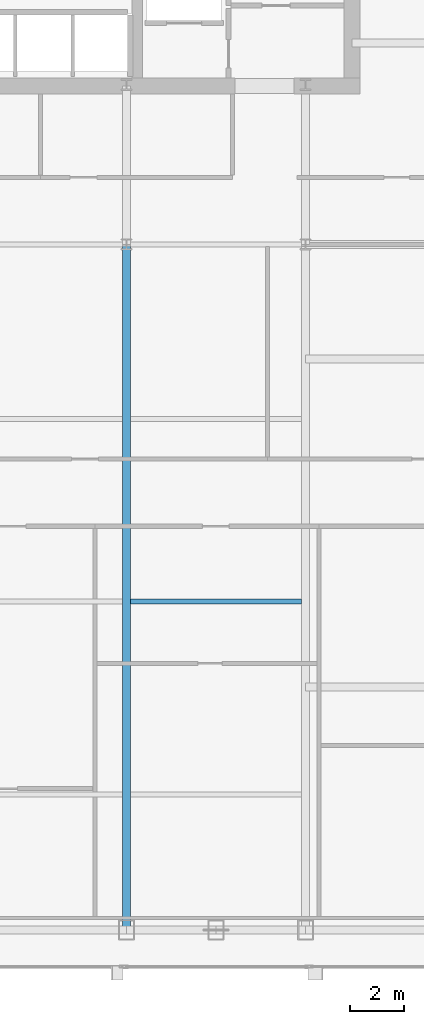
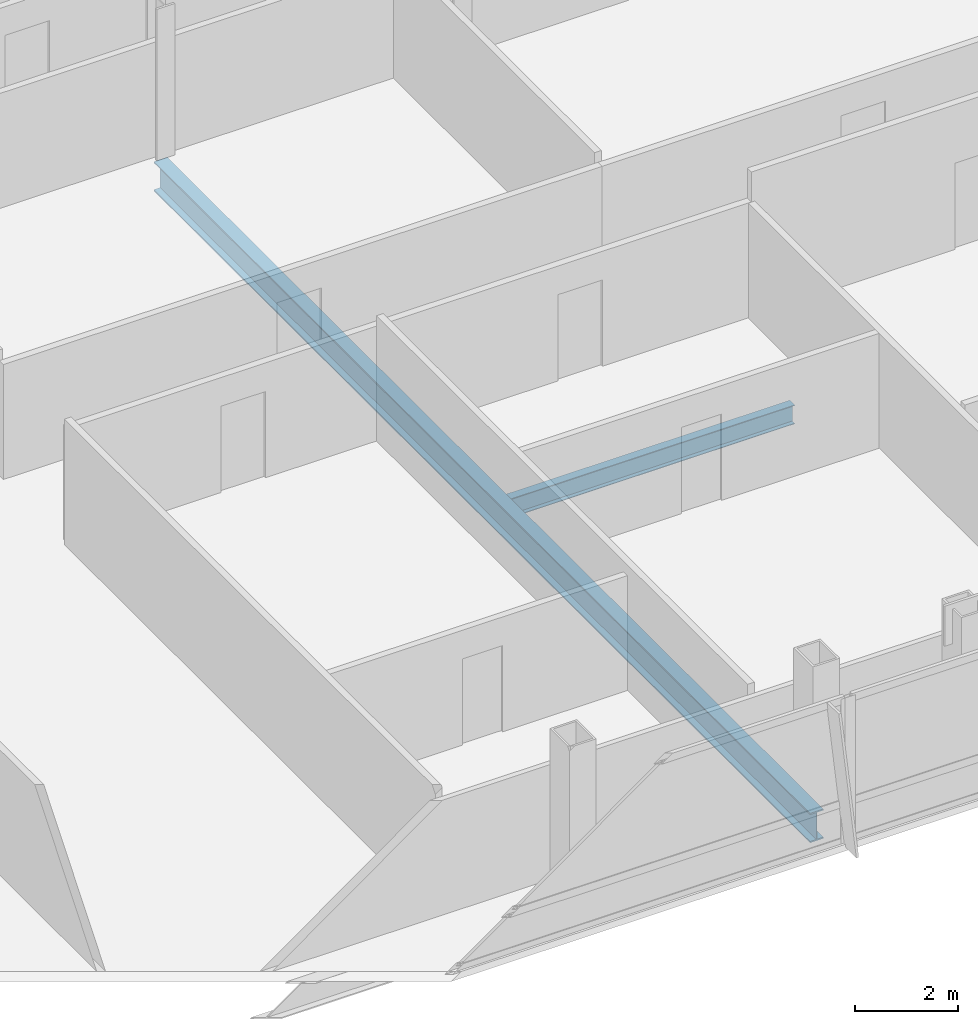
# One storey, part 15 of 32: 2 beams.
"""IFC4 building model written with IfcOpenShell, lengths in metres."""

from ifc_helpers import new_model, si_unit, direction, frame, origin, origin_2d, place, context, subcontext, project, spatial, i_section, extrude, material, material_profile, profile_set, type_object, element, save


model = new_model("IFC4")

# Units and contexts
model_context = context("Model", 3, precision=1e-05, world=origin(), true_north=direction((0.0, 1.0)))
body_context = subcontext(model_context, "Body", "Model", "MODEL_VIEW")
ifc_project = project(units=[si_unit("LENGTHUNIT", "METRE"), si_unit("AREAUNIT", "SQUARE_METRE"), si_unit("VOLUMEUNIT", "CUBIC_METRE"), si_unit("PLANEANGLEUNIT", "RADIAN"), si_unit("MASSUNIT", "GRAM", prefix="KILO")], contexts=[model_context])

# Site, building, storey
site_placement = place(None, origin())
site = spatial("IfcSite", under=ifc_project, at=site_placement, CompositionType="ELEMENT")
building_placement = place(site_placement, origin())
building = spatial("IfcBuilding", under=site, at=building_placement, Name="Khoronbel Lancet Exchange", CompositionType="ELEMENT")
storey_placement = place(building_placement, frame((0.0, 0.0, 195.800048828125)))
storey = spatial("IfcBuildingStorey", under=building, at=storey_placement, Name="L49", CompositionType="ELEMENT", Elevation=195.800048828125)

# Beams
ifc_material = material(Name="Steel S355", Category="steel")
ifc_material_profile_1 = material_profile(ifc_material, i_section(OverallWidth=0.300048828125, OverallDepth=0.699951171875, WebThickness=0.01708984375, FlangeThickness=0.031982421875, at=origin_2d()), Name="HEB 700")
ifc_profile_set_1 = profile_set([ifc_material_profile_1], Name="Steel S355")
beam_type_1 = type_object("IfcBeamType", Name="BM-BG3", PredefinedType="BEAM", material=ifc_profile_set_1)
beam_1_placement = place(storey_placement, frame((48.0, 10.14990234375, -0.510009765625), z_axis=(0.0, 1.0, 0.0), x_axis=(-1.0, 0.0, 0.0)))
element("IfcBeam", 1, at=beam_1_placement, inside=storey, type_object=beam_type_1, Name="Level L49 south primary girder GS5", PredefinedType="BEAM", context=body_context, shape_type="SweptSolid", body=[
    extrude(i_section(OverallWidth=0.300048828125, OverallDepth=0.699951171875, WebThickness=0.01708984375, FlangeThickness=0.031982421875, at=origin_2d()), origin(), (0.0, 0.0, 1.0), 25.550048828125),
])
ifc_material_profile_2 = material_profile(ifc_material, i_section(OverallWidth=0.18994140625, OverallDepth=0.449951171875, WebThickness=0.009521484375, FlangeThickness=0.0146484375, at=origin_2d()), Name="IPE 450")
ifc_profile_set_2 = profile_set([ifc_material_profile_2], Name="Steel S355")
beam_type_2 = type_object("IfcBeamType", Name="BM-BJ4", PredefinedType="JOIST", material=ifc_profile_set_2)
beam_2_placement = place(storey_placement, frame((48.14990234375, 22.39990234375, -0.385009765625), z_axis=(1.0, 0.0, 0.0), x_axis=(0.0, 1.0, 0.0)))
element("IfcBeam", 2, at=beam_2_placement, inside=storey, type_object=beam_type_2, Name="Level L49 secondary composite joist J10", PredefinedType="JOIST", context=body_context, shape_type="SweptSolid", body=[
    extrude(i_section(OverallWidth=0.18994140625, OverallDepth=0.449951171875, WebThickness=0.009521484375, FlangeThickness=0.0146484375, at=origin_2d()), origin(), (0.0, 0.0, 1.0), 6.375),
])

save(model, "model.ifc")
